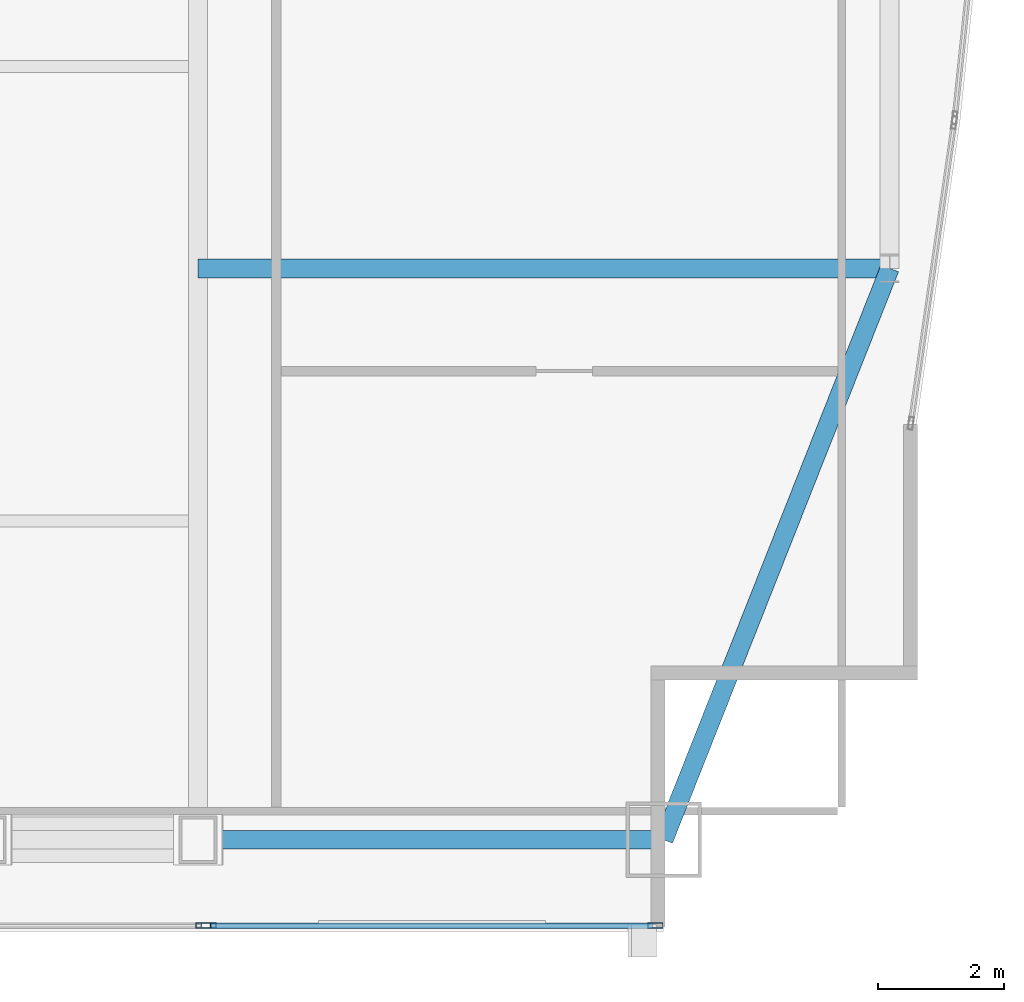
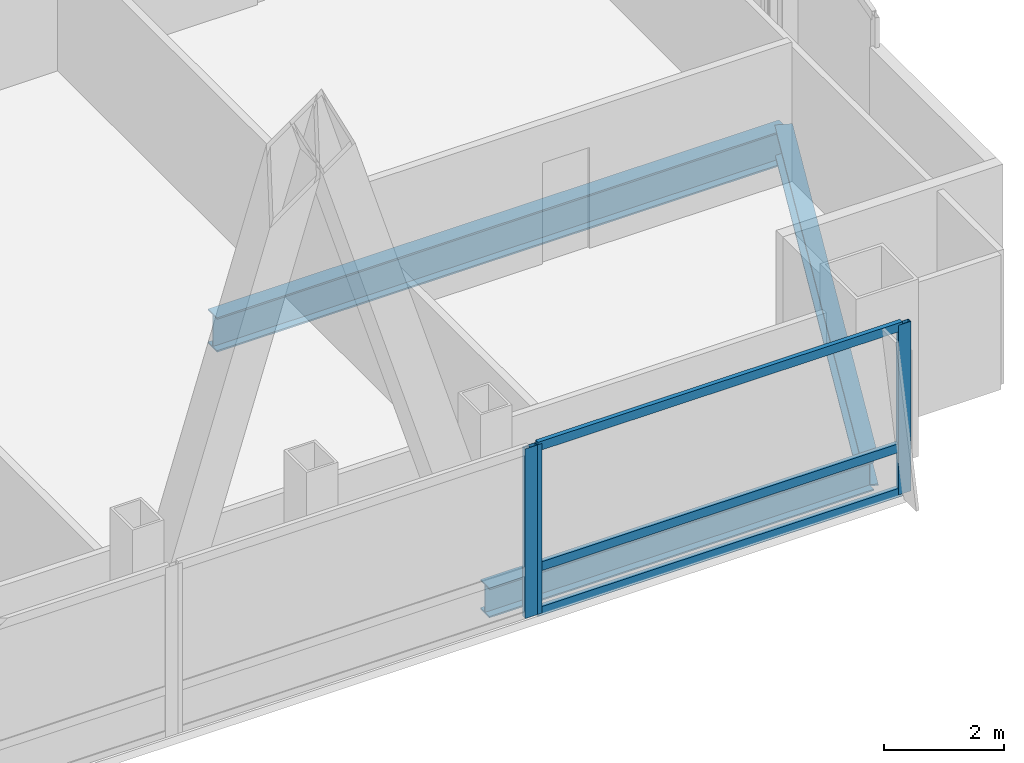
# One storey, part 15 of 32: 6 members, 3 beams, 2 elements without a shape of their own.
"""IFC4 building model written with IfcOpenShell, lengths in metres."""

import ifcopenshell
import ifcopenshell.guid

model = None  # the IFC model being written
_history = None  # IfcOwnerHistory: only IFC2X3 demands one
_inside = {}  # id of a spatial element -> (the spatial element, [elements in it])
_under = {}  # id of a project, library or spatial element -> (it, [spatial elements below it])
_declared = {}  # id of a project -> (the project, [libraries it declares])
_typed = {}  # id of a type object -> (the type object, [elements of that type])
_made_of = {}  # id of a material, layer set ... -> (it, [elements and type objects made of it])


def new_model(schema):
    """Start an empty IFC model of exactly this schema.

    Asked for "IFC4X3", IfcOpenShell would pick the latest addendum, in which some entities
    have other attributes; the version numbers below select the first issue.
    IFC2X3 requires an IfcOwnerHistory on every rooted entity: one is made here for all.
    """
    global model, _history
    if schema == "IFC4X3":
        model = ifcopenshell.file(schema_version=(4, 3, 0, 0))
    else:
        model = ifcopenshell.file(schema=schema)
    _inside.clear()
    _under.clear()
    _declared.clear()
    _typed.clear()
    _made_of.clear()
    _history = None
    if model.schema == "IFC2X3":
        org = make("IfcOrganization", Name="unknown")
        user = make(
            "IfcPersonAndOrganization",
            ThePerson=make("IfcPerson", FamilyName="unknown"),
            TheOrganization=org,
        )
        app = make(
            "IfcApplication",
            ApplicationDeveloper=org,
            Version="unknown",
            ApplicationFullName="unknown",
            ApplicationIdentifier="unknown",
        )
        _history = make(
            "IfcOwnerHistory",
            OwningUser=user,
            OwningApplication=app,
            ChangeAction="ADDED",
            CreationDate=0,
        )
    return model


def make(cls, **values):
    """One entity of the class cls with the attributes given. An attribute that is None is left unset."""
    return model.create_entity(
        cls, **{name: value for name, value in values.items() if value is not None}
    )


def rooted(cls, **values):
    """An entity with a GlobalId (a new one), such as an element, a storey or a relation."""
    return make(cls, GlobalId=ifcopenshell.guid.new(), OwnerHistory=_history, **values)


def si_unit(unit_type, name, prefix=None):
    """IfcSIUnit, for example si_unit("LENGTHUNIT", "METRE", prefix="MILLI")."""
    return make("IfcSIUnit", UnitType=unit_type, Prefix=prefix, Name=name)


def assignment(units):
    """IfcUnitAssignment: the units of a project."""
    return None if units is None else make("IfcUnitAssignment", Units=units)


def point(xyz):
    """IfcCartesianPoint."""
    return None if xyz is None else make("IfcCartesianPoint", Coordinates=xyz)


def direction(xyz):
    """IfcDirection."""
    return None if xyz is None else make("IfcDirection", DirectionRatios=xyz)


def frame(location, z_axis=None, x_axis=None):
    """IfcAxis2Placement3D, a coordinate frame: its origin and axes. An axis left out is left unset."""
    return make(
        "IfcAxis2Placement3D",
        Location=point(location),
        Axis=direction(z_axis),
        RefDirection=direction(x_axis),
    )


def frame_2d(location, x_axis=None):
    """IfcAxis2Placement2D, a coordinate frame in the plane: its origin and x axis."""
    return make(
        "IfcAxis2Placement2D", Location=point(location), RefDirection=direction(x_axis)
    )


def origin():
    """The frame at (0, 0, 0) with its axes left unset."""
    return frame((0.0, 0.0, 0.0))


def origin_2d():
    """The frame at (0, 0) in the plane with its x axis left unset."""
    return frame_2d((0.0, 0.0))


def place(relative_to, where):
    """IfcLocalPlacement: puts the frame where relative to a parent placement (None: the world)."""
    return make(
        "IfcLocalPlacement", PlacementRelTo=relative_to, RelativePlacement=where
    )


def context(
    kind, dimensions, precision=None, world=None, true_north=None, identifier=None
):
    """IfcGeometricRepresentationContext, for example the 3D "Model" context."""
    return make(
        "IfcGeometricRepresentationContext",
        ContextIdentifier=identifier,
        ContextType=kind,
        CoordinateSpaceDimension=dimensions,
        Precision=precision,
        WorldCoordinateSystem=world,
        TrueNorth=true_north,
    )


def subcontext(parent, identifier, kind, view, scale=None):
    """IfcGeometricRepresentationSubContext, for example "Body" below "Model"."""
    return make(
        "IfcGeometricRepresentationSubContext",
        ContextIdentifier=identifier,
        ContextType=kind,
        ParentContext=parent,
        TargetScale=scale,
        TargetView=view,
    )


def project(units=None, contexts=None):
    """IfcProject with its units and contexts."""
    return rooted(
        "IfcProject",
        Name="project",
        RepresentationContexts=contexts,
        UnitsInContext=assignment(units),
    )


def spatial(cls, under=None, at=None, **own):
    """A site, building, storey or space (cls), placed at a placement, below another one or the project."""
    s = rooted(cls, ObjectPlacement=at, **own)
    if under is not None:
        _under.setdefault(under.id(), (under, []))[1].append(s)
    return s


def profile(cls, at=None, kind="AREA", **sizes):
    """A parametric profile (cls). Its sizes go by their IFC names, for example OverallWidth=200.0."""
    return make(cls, ProfileType=kind, Position=at, **sizes)


def hollow_rectangle(**sizes):
    """IfcRectangleHollowProfileDef."""
    return profile("IfcRectangleHollowProfileDef", **sizes)


def i_section(**sizes):
    """IfcIShapeProfileDef."""
    return profile("IfcIShapeProfileDef", **sizes)


def extrude(swept, where, along, depth):
    """IfcExtrudedAreaSolid: the profile swept, set in the frame where, extruded along a direction by depth."""
    return make(
        "IfcExtrudedAreaSolid",
        SweptArea=swept,
        Position=where,
        ExtrudedDirection=direction(along),
        Depth=depth,
    )


def shape(context_of_items, identifier, shape_type, items):
    """IfcShapeRepresentation: the items that make up one representation, for example the "Body"."""
    return make(
        "IfcShapeRepresentation",
        ContextOfItems=context_of_items,
        RepresentationIdentifier=identifier,
        RepresentationType=shape_type,
        Items=items,
    )


def material(Name=None, Category=None):
    """IfcMaterial."""
    return make("IfcMaterial", Name=Name, Category=Category)


def material_profile(
    of_material, cross_section, Name=None, Category=None, Priority=None
):
    """IfcMaterialProfile: a cross section and its material."""
    return make(
        "IfcMaterialProfile",
        Name=Name,
        Material=of_material,
        Profile=cross_section,
        Priority=Priority,
        Category=Category,
    )


def profile_set(profiles, Name=None, composite=None):
    """IfcMaterialProfileSet."""
    return make(
        "IfcMaterialProfileSet",
        Name=Name,
        MaterialProfiles=profiles,
        CompositeProfile=composite,
    )


def made_of(thing, what):
    """Note that an element or type object is made of a material, layer set ...; save() writes the relation."""
    if what is not None:
        _made_of.setdefault(what.id(), (what, []))[1].append(thing)
    return thing


def type_object(cls, material=None, **own):
    """A type object (cls), such as IfcWallType, which elements share."""
    return made_of(rooted(cls, **own), material)


def element(
    cls,
    number,
    at=None,
    inside=None,
    cuts=None,
    type_object=None,
    material=None,
    context=None,
    identifier="Body",
    shape_type=None,
    held_by="IfcProductDefinitionShape",
    body=None,
    shapes=None,
    **own,
):
    """One element of the class cls, such as IfcWall. Its Tag is "e" and its number.

    at: its placement. inside: the storey or other place that contains it. cuts: it is an
    opening in that element (IfcRelVoidsElement). A single representation is given by context,
    identifier, shape_type and body (its items); several are given by shapes. held_by: the class
    of the entity that holds the representations. save() writes the other relations.
    """
    e = rooted(cls, Tag="e%d" % number, ObjectPlacement=at, **own)
    if body is not None:
        shapes = [shape(context, identifier, shape_type, body)]
    if shapes is not None:
        e.Representation = make(held_by, Representations=shapes)
    if inside is not None:
        _inside.setdefault(inside.id(), (inside, []))[1].append(e)
    if cuts is not None:
        rooted(
            "IfcRelVoidsElement", RelatingBuildingElement=cuts, RelatedOpeningElement=e
        )
    if type_object is not None:
        _typed.setdefault(type_object.id(), (type_object, []))[1].append(e)
    return made_of(e, material)


def aggregate(whole, parts):
    """IfcRelAggregates: a whole, such as a stair, and the parts it consists of."""
    return rooted("IfcRelAggregates", RelatingObject=whole, RelatedObjects=parts)


def save(model, path):
    """Write the relations noted so far, then the file.

    IfcRelAggregates (storeys below a building ...), IfcRelContainedInSpatialStructure (elements
    in a storey), IfcRelDefinesByType, IfcRelAssociatesMaterial and IfcRelDeclares: one each for
    every whole, place, type object, material and project.
    """
    for whole, parts in _under.values():
        aggregate(whole, parts)
    for where, things in _inside.values():
        rooted(
            "IfcRelContainedInSpatialStructure",
            RelatedElements=things,
            RelatingStructure=where,
        )
    for kind, things in _typed.values():
        rooted("IfcRelDefinesByType", RelatedObjects=things, RelatingType=kind)
    for what, things in _made_of.values():
        rooted("IfcRelAssociatesMaterial", RelatedObjects=things, RelatingMaterial=what)
    for by, libraries in _declared.values():
        rooted("IfcRelDeclares", RelatingContext=by, RelatedDefinitions=libraries)
    model.write(path)


model = new_model("IFC4")

# Units and contexts
model_context = context("Model", 3, precision=1e-05, world=origin(), true_north=direction((0.0, 1.0)))
body_context = subcontext(model_context, "Body", "Model", "MODEL_VIEW")
ifc_project = project(units=[si_unit("LENGTHUNIT", "METRE"), si_unit("AREAUNIT", "SQUARE_METRE"), si_unit("VOLUMEUNIT", "CUBIC_METRE"), si_unit("PLANEANGLEUNIT", "RADIAN"), si_unit("MASSUNIT", "GRAM", prefix="KILO")], contexts=[model_context])

# Site, building, storey
site_placement = place(None, origin())
site = spatial("IfcSite", under=ifc_project, at=site_placement, CompositionType="ELEMENT")
building_placement = place(site_placement, origin())
building = spatial("IfcBuilding", under=site, at=building_placement, Name="Khoronbel Lancet Exchange", CompositionType="ELEMENT")
storey_placement = place(building_placement, frame((0.0, 0.0, 199.39990234375)))
storey = spatial("IfcBuildingStorey", under=building, at=storey_placement, Name="L50", CompositionType="ELEMENT", Elevation=199.39990234375)

# Beams
ifc_material_1 = material(Name="Steel S355", Category="steel")
ifc_material_profile_1 = material_profile(ifc_material_1, i_section(OverallWidth=0.300048828125, OverallDepth=0.699951171875, WebThickness=0.01708984375, FlangeThickness=0.031982421875, at=origin_2d()), Name="HEB 700")
ifc_profile_set_1 = profile_set([ifc_material_profile_1], Name="Steel S355")
beam_type_1 = type_object("IfcBeamType", Name="BM-BG3", PredefinedType="BEAM", material=ifc_profile_set_1)
beam_1_placement = place(storey_placement, frame((54.675048828125, 19.199951171875, -0.510009765625), z_axis=(1.0, 0.0, 0.0), x_axis=(0.0, 1.0, 0.0)))
element("IfcBeam", 1, at=beam_1_placement, inside=storey, type_object=beam_type_1, Name="Level L50 east lens tie girder LG1E", PredefinedType="BEAM", context=body_context, shape_type="SweptSolid", body=[
    extrude(i_section(OverallWidth=0.300048828125, OverallDepth=0.699951171875, WebThickness=0.01708984375, FlangeThickness=0.031982421875, at=origin_2d()), origin(), (0.0, 0.0, 1.0), 10.954833984375),
])
ifc_material_profile_2 = material_profile(ifc_material_1, i_section(OverallWidth=0.300048828125, OverallDepth=0.60009765625, WebThickness=0.015380859375, FlangeThickness=0.030029296875, at=origin_2d()), Name="HEB 600")
ifc_profile_set_2 = profile_set([ifc_material_profile_2], Name="Steel S355")
beam_type_2 = type_object("IfcBeamType", Name="BM-BSP2", PredefinedType="SPANDREL", material=ifc_profile_set_2)
beam_2_placement = place(storey_placement, frame((54.675048828125, 10.14990234375, -0.4599609375), z_axis=(1.0, 0.0, 0.0), x_axis=(0.0, 1.0, 0.0)))
element("IfcBeam", 2, at=beam_2_placement, inside=storey, type_object=beam_type_2, Name="Level L50 perimeter spandrel beam SP09", PredefinedType="SPANDREL", context=body_context, shape_type="SweptSolid", body=[
    extrude(i_section(OverallWidth=0.300048828125, OverallDepth=0.60009765625, WebThickness=0.015380859375, FlangeThickness=0.030029296875, at=origin_2d()), origin(), (0.0, 0.0, 1.0), 7.375),
])
beam_3_placement = place(storey_placement, frame((62.050048828125, 10.14990234375, -0.4599609375), z_axis=(0.367828403855, 0.929893684954, 0.0), x_axis=(-0.929893684954, 0.367828403855, 0.0)))
element("IfcBeam", 3, at=beam_3_placement, inside=storey, type_object=beam_type_2, Name="Level L50 perimeter spandrel beam SP10", PredefinedType="SPANDREL", context=body_context, shape_type="SweptSolid", body=[
    extrude(i_section(OverallWidth=0.300048828125, OverallDepth=0.60009765625, WebThickness=0.015380859375, FlangeThickness=0.030029296875, at=origin_2d()), origin(), (0.0, 0.0, 1.0), 9.732421875),
])

# Curtain wall, member
ifc_material_2 = material(Name="Low-E Solar Control Insulating Glass", Category="glass")
curtain_wall_type = type_object("IfcCurtainWallType", Name="CW-3", PredefinedType="NOTDEFINED", material=ifc_material_2)
curtain_wall_1_placement = place(storey_placement, origin())
curtain_wall_1 = element("IfcCurtainWall", 4, at=curtain_wall_1_placement, inside=storey, type_object=curtain_wall_type, Name="Unitised curtain wall CW-L50-SEB", PredefinedType="NOTDEFINED")
ifc_material_3 = material(Name="Bronze-Anodised Aluminium 6063-T6", Category="aluminium")
ifc_material_profile_3 = material_profile(ifc_material_3, hollow_rectangle(XDim=0.0849609375, YDim=0.239990234375, WallThickness=0.006103515625, at=origin_2d()), Name="ALU MULLION 85x240")
ifc_profile_set_3 = profile_set([ifc_material_profile_3], Name="Bronze-Anodised Aluminium 6063-T6")
member_type_1 = type_object("IfcMemberType", Name="MEM-CWM1", PredefinedType="MULLION", material=ifc_profile_set_3)
member_1_placement = place(storey_placement, frame((54.757568359375, 8.7900390625, 0.0), z_axis=(0.0, 0.0, 1.0), x_axis=(0.0, 1.0, 0.0)))
member_1 = element("IfcMember", 5, at=member_1_placement, type_object=member_type_1, Name="CW3 mullion 2", PredefinedType="MULLION", context=body_context, shape_type="SweptSolid", body=[
    extrude(hollow_rectangle(XDim=0.0849609375, YDim=0.239990234375, WallThickness=0.006103515625, at=origin_2d()), origin(), (0.0, 0.0, 1.0), 3.440185546875),
])
aggregate(curtain_wall_1, [member_1])

# Curtain wall, members
curtain_wall_2_placement = place(storey_placement, origin())
curtain_wall_2 = element("IfcCurtainWall", 6, at=curtain_wall_2_placement, inside=storey, type_object=curtain_wall_type, Name="Unitised curtain wall CW-L50-SEV", PredefinedType="NOTDEFINED")
member_2_placement = place(storey_placement, frame((54.842529296875, 8.7900390625, 0.0), z_axis=(0.0, 0.0, 1.0), x_axis=(0.0, 1.0, 0.0)))
member_2 = element("IfcMember", 7, at=member_2_placement, type_object=member_type_1, Name="CW3 mullion 1", PredefinedType="MULLION", context=body_context, shape_type="SweptSolid", body=[
    extrude(hollow_rectangle(XDim=0.0849609375, YDim=0.239990234375, WallThickness=0.006103515625, at=origin_2d()), origin(), (0.0, 0.0, 1.0), 3.440185546875),
])
member_3_placement = place(storey_placement, frame((61.91748046875, 8.7900390625, 0.0), z_axis=(0.0, 0.0, 1.0), x_axis=(0.0, 1.0, 0.0)))
member_3 = element("IfcMember", 8, at=member_3_placement, type_object=member_type_1, Name="CW3 mullion 2", PredefinedType="MULLION", context=body_context, shape_type="SweptSolid", body=[
    extrude(hollow_rectangle(XDim=0.0849609375, YDim=0.239990234375, WallThickness=0.006103515625, at=origin_2d()), origin(), (0.0, 0.0, 1.0), 3.440185546875),
])
ifc_material_profile_4 = material_profile(ifc_material_3, hollow_rectangle(XDim=0.0849609375, YDim=0.179931640625, WallThickness=0.0048828125, at=origin_2d()), Name="ALU TRANSOM 85x180")
ifc_profile_set_4 = profile_set([ifc_material_profile_4], Name="Bronze-Anodised Aluminium 6063-T6")
member_type_2 = type_object("IfcMemberType", Name="MEM-CWT1", PredefinedType="USERDEFINED", material=ifc_profile_set_4)
member_4_placement = place(storey_placement, frame((54.885009765625, 8.7900390625, 0.04248046875), z_axis=(1.0, 0.0, 0.0), x_axis=(0.0, 1.0, 0.0)))
member_4 = element("IfcMember", 9, at=member_4_placement, type_object=member_type_2, Name="CW3 transom 1.1", ObjectType="TRANSOM", PredefinedType="USERDEFINED", context=body_context, shape_type="SweptSolid", body=[
    extrude(hollow_rectangle(XDim=0.0849609375, YDim=0.179931640625, WallThickness=0.0048828125, at=origin_2d()), origin(), (0.0, 0.0, 1.0), 6.989990234375),
])
member_5_placement = place(storey_placement, frame((54.885009765625, 8.7900390625, 0.9501953125), z_axis=(1.0, 0.0, 0.0), x_axis=(0.0, 1.0, 0.0)))
member_5 = element("IfcMember", 10, at=member_5_placement, type_object=member_type_2, Name="CW3 transom 1.2", ObjectType="TRANSOM", PredefinedType="USERDEFINED", context=body_context, shape_type="SweptSolid", body=[
    extrude(hollow_rectangle(XDim=0.0849609375, YDim=0.179931640625, WallThickness=0.0048828125, at=origin_2d()), origin(), (0.0, 0.0, 1.0), 6.989990234375),
])
member_6_placement = place(storey_placement, frame((54.885009765625, 8.7900390625, 3.397705078125), z_axis=(1.0, 0.0, 0.0), x_axis=(0.0, 1.0, 0.0)))
member_6 = element("IfcMember", 11, at=member_6_placement, type_object=member_type_2, Name="CW3 transom 1.3", ObjectType="TRANSOM", PredefinedType="USERDEFINED", context=body_context, shape_type="SweptSolid", body=[
    extrude(hollow_rectangle(XDim=0.0849609375, YDim=0.179931640625, WallThickness=0.0048828125, at=origin_2d()), origin(), (0.0, 0.0, 1.0), 6.989990234375),
])
aggregate(curtain_wall_2, [member_2, member_3, member_4, member_5, member_6])

save(model, "model.ifc")
